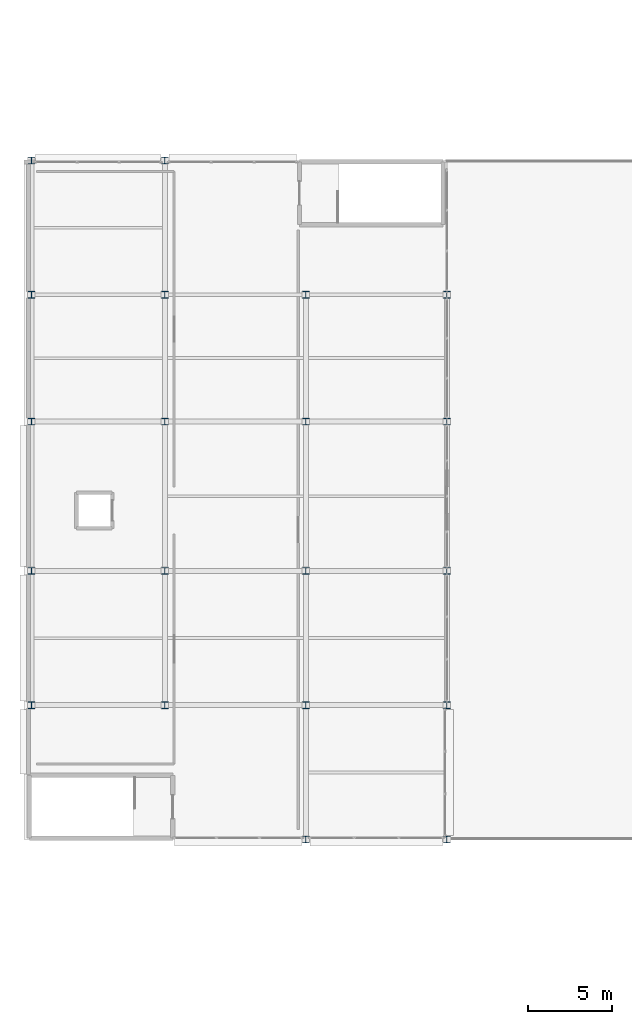
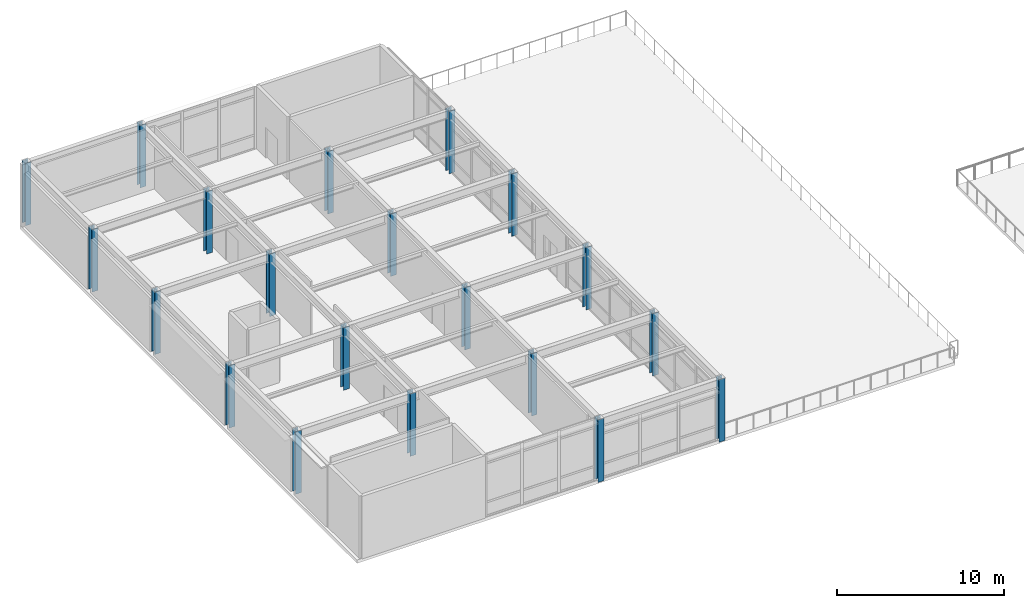
# One storey, part 1 of 61: 20 columns.
"""IFC4 building model written with IfcOpenShell, lengths in metres."""

from ifc_helpers import new_model, si_unit, direction, frame, origin, origin_2d, place, context, subcontext, project, spatial, i_section, extrude, material, material_profile, profile_set, type_object, element, save


model = new_model("IFC4")

# Units and contexts
model_context = context("Model", 3, precision=1e-05, world=origin(), true_north=direction((0.0, 1.0)))
body_context = subcontext(model_context, "Body", "Model", "MODEL_VIEW")
ifc_project = project(units=[si_unit("LENGTHUNIT", "METRE"), si_unit("AREAUNIT", "SQUARE_METRE"), si_unit("VOLUMEUNIT", "CUBIC_METRE"), si_unit("PLANEANGLEUNIT", "RADIAN"), si_unit("MASSUNIT", "GRAM", prefix="KILO")], contexts=[model_context])

# Site, building, storey
site_placement = place(None, origin())
site = spatial("IfcSite", under=ifc_project, at=site_placement, CompositionType="ELEMENT")
building_placement = place(site_placement, origin())
building = spatial("IfcBuilding", under=site, at=building_placement, Name="Kazehara Bluff Congress Hotel", CompositionType="ELEMENT")
storey_placement = place(building_placement, frame((0.0, 0.0, 19.800048828125)))
storey = spatial("IfcBuildingStorey", under=building, at=storey_placement, Name="L04", CompositionType="ELEMENT", Elevation=19.800048828125)

# Columns
ifc_material = material(Name="Steel SN490B", Category="steel")
ifc_material_profile = material_profile(ifc_material, i_section(OverallWidth=0.39990234375, OverallDepth=0.39990234375, WebThickness=0.012939453125, FlangeThickness=0.02099609375, FilletRadius=0.02197265625, at=origin_2d()))
ifc_profile_set = profile_set([ifc_material_profile], Name="Steel SN490B")
column_type = type_object("IfcColumnType", Name="TP-C-09", PredefinedType="COLUMN", material=ifc_profile_set)
for number, where, z_axis, x_axis, name in (
    (1, (59.699951171875, 24.0, 0.0), (0.0, 0.0, 1.0), (1.0, 0.0, 0.0), "L04 column C-09 (59.70,24.00)"),
    (2, (59.699951171875, 32.0, 0.0), (0.0, 0.0, 1.0), (1.0, 0.0, 0.0), "L04 column C-09 (59.70,32.00)"),
    (3, (59.699951171875, 40.89990234375, 0.0), (0.0, 0.0, 1.0), (1.0, 0.0, 0.0), "L04 column C-09 (59.70,40.90)"),
    (4, (59.699951171875, 48.449951171875, 0.0), (0.0, 0.0, 1.0), (1.0, 0.0, 0.0), "L04 column C-09 (59.70,48.45)"),
    (5, (59.699951171875, 56.449951171875, 0.0), (0.0, 0.0, 1.0), (1.0, 0.0, 0.0), "L04 column C-09 (59.70,56.45)"),
    (6, (67.64990234375, 24.0, 0.0), (0.0, 0.0, 1.0), (1.0, 0.0, 0.0), "L04 column C-09 (67.65,24.00)"),
    (7, (67.64990234375, 32.0, 0.0), (0.0, 0.0, 1.0), (1.0, 0.0, 0.0), "L04 column C-09 (67.65,32.00)"),
    (8, (67.64990234375, 40.89990234375, 0.0), (0.0, 0.0, 1.0), (1.0, 0.0, 0.0), "L04 column C-09 (67.65,40.90)"),
    (9, (67.64990234375, 48.449951171875, 0.0), (0.0, 0.0, 1.0), (1.0, 0.0, 0.0), "L04 column C-09 (67.65,48.45)"),
    (10, (67.64990234375, 56.449951171875, 0.0), (0.0, 0.0, 1.0), (1.0, 0.0, 0.0), "L04 column C-09 (67.65,56.45)"),
    (11, (76.050048828125, 16.0, 0.0), (0.0, 0.0, 1.0), (1.0, 0.0, 0.0), "L04 column C-09 (76.05,16.00)"),
    (12, (76.050048828125, 24.0, 0.0), (0.0, 0.0, 1.0), (1.0, 0.0, 0.0), "L04 column C-09 (76.05,24.00)"),
    (13, (76.050048828125, 32.0, 0.0), (0.0, 0.0, 1.0), (1.0, 0.0, 0.0), "L04 column C-09 (76.05,32.00)"),
    (14, (76.050048828125, 40.89990234375, 0.0), (0.0, 0.0, 1.0), (1.0, 0.0, 0.0), "L04 column C-09 (76.05,40.90)"),
    (15, (76.050048828125, 48.449951171875, 0.0), (0.0, 0.0, 1.0), (1.0, 0.0, 0.0), "L04 column C-09 (76.05,48.45)"),
    (16, (84.449951171875, 16.0, 0.0), (0.0, 0.0, 1.0), (1.0, 0.0, 0.0), "L04 column C-09 (84.45,16.00)"),
    (17, (84.449951171875, 24.0, 0.0), (0.0, 0.0, 1.0), (1.0, 0.0, 0.0), "L04 column C-09 (84.45,24.00)"),
    (18, (84.449951171875, 32.0, 0.0), (0.0, 0.0, 1.0), (1.0, 0.0, 0.0), "L04 column C-09 (84.45,32.00)"),
    (19, (84.449951171875, 40.89990234375, 0.0), (0.0, 0.0, 1.0), (1.0, 0.0, 0.0), "L04 column C-09 (84.45,40.90)"),
    (20, (84.449951171875, 48.449951171875, 0.0), (0.0, 0.0, 1.0), (1.0, 0.0, 0.0), "L04 column C-09 (84.45,48.45)"),
):
    element("IfcColumn", number, at=place(storey_placement, frame(where, z_axis=z_axis, x_axis=x_axis)), inside=storey, type_object=column_type, Name=name, PredefinedType="COLUMN", context=body_context, shape_type="SweptSolid", body=[
        extrude(i_section(OverallWidth=0.39990234375, OverallDepth=0.39990234375, WebThickness=0.012939453125, FlangeThickness=0.02099609375, FilletRadius=0.02197265625, at=origin_2d()), origin(), (0.0, 0.0, 1.0), 4.579833984375),
    ])

save(model, "model.ifc")
